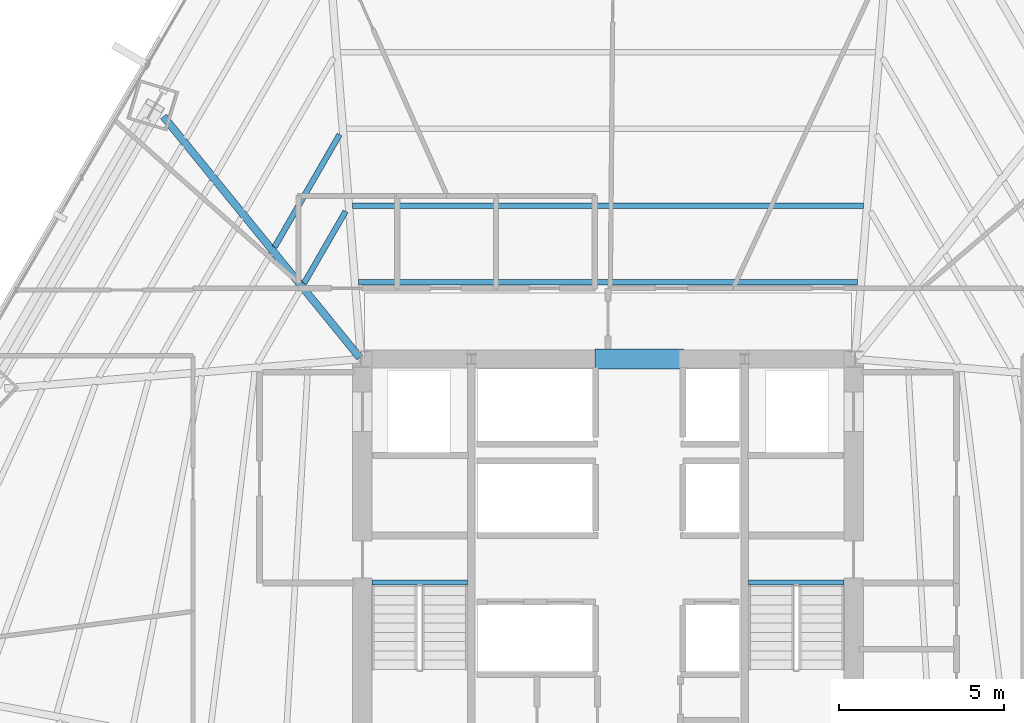
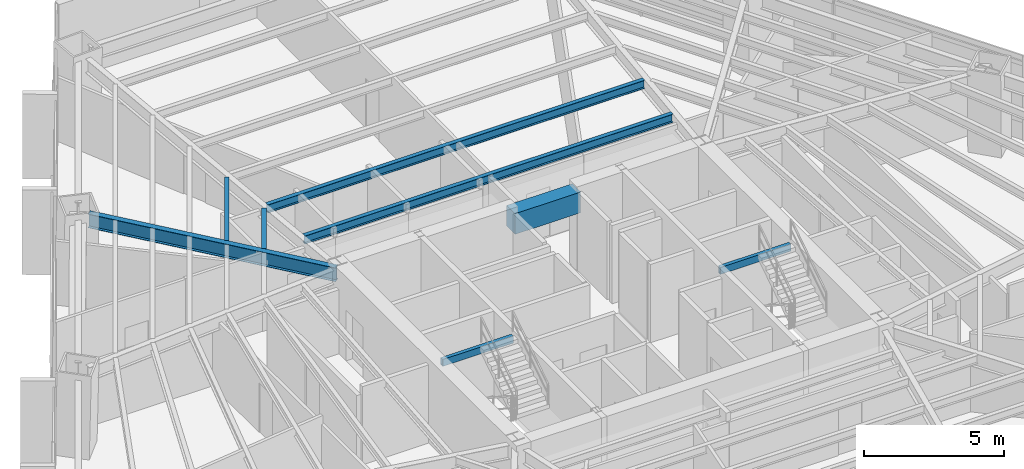
# One storey, part 15 of 37: 8 beams.
"""IFC4 building model written with IfcOpenShell, lengths in metres."""

from ifc_helpers import new_model, si_unit, direction, frame, origin, origin_2d, place, context, subcontext, project, spatial, rectangle, hollow_rectangle, i_section, extrude, source, transform, mapped, material, material_profile, profile_set, type_object, type_shapes, element, save


model = new_model("IFC4")

# Units and contexts
model_context = context("Model", 3, precision=1e-05, world=origin(), true_north=direction((0.0, 1.0)))
body_context = subcontext(model_context, "Body", "Model", "MODEL_VIEW")
ifc_project = project(units=[si_unit("LENGTHUNIT", "METRE"), si_unit("AREAUNIT", "SQUARE_METRE"), si_unit("VOLUMEUNIT", "CUBIC_METRE"), si_unit("PLANEANGLEUNIT", "RADIAN"), si_unit("MASSUNIT", "GRAM", prefix="KILO")], contexts=[model_context])

# Site, building, storey
site_placement = place(None, origin())
site = spatial("IfcSite", under=ifc_project, at=site_placement, CompositionType="ELEMENT")
building_placement = place(site_placement, origin())
building = spatial("IfcBuilding", under=site, at=building_placement, Name="Caelisora Broadcast Tower", CompositionType="ELEMENT")
storey_placement = place(building_placement, frame((0.0, 0.0, 45.85009765625)))
storey = spatial("IfcBuildingStorey", under=building, at=storey_placement, Name="L11", CompositionType="ELEMENT", Elevation=45.85009765625)

# Beams
ifc_material_1 = material(Name="Steel Grade 350 (AS/NZS 1163 C350L0)", Category="steel")
ifc_material_profile_1 = material_profile(ifc_material_1, hollow_rectangle(XDim=0.14990234375, YDim=0.300048828125, WallThickness=0.010009765625, at=origin_2d()), Name="Steel Grade 350 (AS/NZS 1163 C350L0)")
ifc_profile_set_1 = profile_set([ifc_material_profile_1], Name="Steel Grade 350 (AS/NZS 1163 C350L0)")
beam_type_1 = type_object("IfcBeamType", Name="SB05", PredefinedType="JOIST", material=ifc_profile_set_1)
shared_shape_1 = source(origin(), body_context, "Body", "SweptSolid", [
    extrude(hollow_rectangle(XDim=0.14990234375, YDim=0.300048828125, WallThickness=0.010009765625, at=origin_2d()), origin(), (0.0, 0.0, 1.0), 2.89990234375),
])
type_shapes(beam_type_1, [shared_shape_1])
for number, where, z_axis, x_axis, name in (
    (1, (30.840087890625, 23.219970703125, 3.25), (1.0, 0.0, 0.0), (0.0, 1.0, 0.0), "L11 beam SB05"),
    (2, (42.260009765625, 23.219970703125, 3.25), (1.0, 0.0, 0.0), (0.0, 1.0, 0.0), "L11 beam SB05"),
):
    element("IfcBeam", number, at=place(storey_placement, frame(where, z_axis=z_axis, x_axis=x_axis)), inside=storey, type_object=beam_type_1, Name=name, PredefinedType="JOIST", context=body_context, shape_type="MappedRepresentation", body=[
        mapped(shared_shape_1, transform((0.0, 0.0, 0.0), scale=1.0)),
    ])
ifc_material_2 = material(Name="Concrete 50 MPa (AS 3600 S50)", Category="concrete")
ifc_material_profile_2 = material_profile(ifc_material_2, rectangle(XDim=0.60009765625, YDim=0.89990234375, at=origin_2d()), Name="Concrete 50 MPa (AS 3600 S50)")
ifc_profile_set_2 = profile_set([ifc_material_profile_2], Name="Concrete 50 MPa (AS 3600 S50)")
beam_type_2 = type_object("IfcBeamType", Name="CB02", PredefinedType="LINTEL", material=ifc_profile_set_2)
shared_shape_2 = source(origin(), body_context, "Body", "SweptSolid", [
    extrude(rectangle(XDim=0.60009765625, YDim=0.89990234375, at=origin_2d()), origin(), (0.0, 0.0, 1.0), 2.699951171875),
])
type_shapes(beam_type_2, [shared_shape_2])
beam_1_placement = place(storey_placement, frame((37.60009765625, 30.0, 2.949951171875), z_axis=(1.0, 0.0, 0.0), x_axis=(0.0, 1.0, 0.0)))
element("IfcBeam", 3, at=beam_1_placement, inside=storey, type_object=beam_type_2, Name="L11 beam CB02", PredefinedType="LINTEL", context=body_context, shape_type="MappedRepresentation", body=[
    mapped(shared_shape_2, transform((0.0, 0.0, 0.0), scale=1.0)),
])
ifc_material_3 = material(Name="Steel Grade 350 (AS/NZS 3679.1)", Category="steel")
ifc_material_profile_3 = material_profile(ifc_material_3, i_section(OverallWidth=0.22802734375, OverallDepth=0.602294921875, WebThickness=0.010498046875, FlangeThickness=0.014892578125, at=origin_2d()), Name="Steel Grade 350 (AS/NZS 3679.1)")
ifc_profile_set_3 = profile_set([ifc_material_profile_3], Name="Steel Grade 350 (AS/NZS 3679.1)")
beam_type_3 = type_object("IfcBeamType", Name="PG04", PredefinedType="BEAM", material=ifc_profile_set_3)
shared_shape_3 = source(origin(), body_context, "Body", "SweptSolid", [
    extrude(i_section(OverallWidth=0.22802734375, OverallDepth=0.602294921875, WebThickness=0.010498046875, FlangeThickness=0.014892578125, at=origin_2d()), origin(), (0.0, 0.0, 1.0), 9.4404296875),
])
type_shapes(beam_type_3, [shared_shape_3])
beam_2_placement = place(storey_placement, frame((30.462158203125, 30.04638671875, 3.098876953125), z_axis=(-0.631433451991, 0.775430071449, 0.0), x_axis=(-0.775430071449, -0.631433451991, 0.0)))
element("IfcBeam", 4, at=beam_2_placement, inside=storey, type_object=beam_type_3, Name="L11 beam PG04", PredefinedType="BEAM", context=body_context, shape_type="MappedRepresentation", body=[
    mapped(shared_shape_3, transform((0.0, 0.0, 0.0), scale=1.0)),
])
ifc_material_profile_4 = material_profile(ifc_material_3, i_section(OverallWidth=0.172119140625, OverallDepth=0.358642578125, WebThickness=0.008056640625, FlangeThickness=0.012939453125, at=origin_2d()), Name="Steel Grade 350 (AS/NZS 3679.1)")
ifc_profile_set_4 = profile_set([ifc_material_profile_4], Name="Steel Grade 350 (AS/NZS 3679.1)")
beam_type_4 = type_object("IfcBeamType", Name="SB02", PredefinedType="JOIST", material=ifc_profile_set_4)
shared_shape_4 = source(origin(), body_context, "Body", "SweptSolid", [
    extrude(i_section(OverallWidth=0.172119140625, OverallDepth=0.358642578125, WebThickness=0.008056640625, FlangeThickness=0.012939453125, at=origin_2d()), origin(), (0.0, 0.0, 1.0), 15.1455078125),
])
beam_3_placement = place(storey_placement, frame((45.57275390625, 32.330078125, 3.220703125), z_axis=(-1.0, 0.0, 0.0), x_axis=(0.0, -1.0, 0.0)))
element("IfcBeam", 5, at=beam_3_placement, inside=storey, type_object=beam_type_4, Name="L11 beam SB02", PredefinedType="JOIST", context=body_context, shape_type="MappedRepresentation", body=[
    mapped(shared_shape_4, transform((0.0, 0.0, 0.0), scale=1.0)),
])
shared_shape_5 = source(origin(), body_context, "Body", "SweptSolid", [
    extrude(i_section(OverallWidth=0.172119140625, OverallDepth=0.358642578125, WebThickness=0.008056640625, FlangeThickness=0.012939453125, at=origin_2d()), origin(), (0.0, 0.0, 1.0), 15.51318359375),
])
beam_4_placement = place(storey_placement, frame((45.756591796875, 34.66015625, 3.220703125), z_axis=(-1.0, 0.0, 0.0), x_axis=(0.0, -1.0, 0.0)))
element("IfcBeam", 6, at=beam_4_placement, inside=storey, type_object=beam_type_4, Name="L11 beam SB02", PredefinedType="JOIST", context=body_context, shape_type="MappedRepresentation", body=[
    mapped(shared_shape_5, transform((0.0, 0.0, 0.0), scale=1.0)),
])
shared_shape_6 = source(origin(), body_context, "Body", "SweptSolid", [
    extrude(i_section(OverallWidth=0.172119140625, OverallDepth=0.358642578125, WebThickness=0.008056640625, FlangeThickness=0.012939453125, at=origin_2d()), origin(), (0.0, 0.0, 1.0), 2.526123046875),
])
beam_5_placement = place(storey_placement, frame((30.03271484375, 34.488525390625, 3.220703125), z_axis=(-0.499953916003, -0.866052008758, 0.0), x_axis=(0.866052008758, -0.499953916003, 0.0)))
element("IfcBeam", 7, at=beam_5_placement, inside=storey, type_object=beam_type_4, Name="L11 beam SB02", PredefinedType="JOIST", context=body_context, shape_type="MappedRepresentation", body=[
    mapped(shared_shape_6, transform((0.0, 0.0, 0.0), scale=1.0)),
])
shared_shape_7 = source(origin(), body_context, "Body", "SweptSolid", [
    extrude(i_section(OverallWidth=0.172119140625, OverallDepth=0.358642578125, WebThickness=0.008056640625, FlangeThickness=0.012939453125, at=origin_2d()), origin(), (0.0, 0.0, 1.0), 3.947509765625),
])
type_shapes(beam_type_4, [shared_shape_4, shared_shape_5, shared_shape_6, shared_shape_7])
beam_6_placement = place(storey_placement, frame((29.8486328125, 36.818603515625, 3.220703125), z_axis=(-0.499970507103, -0.866042430847, 0.0), x_axis=(0.866042430847, -0.499970507103, 0.0)))
element("IfcBeam", 8, at=beam_6_placement, inside=storey, type_object=beam_type_4, Name="L11 beam SB02", PredefinedType="JOIST", context=body_context, shape_type="MappedRepresentation", body=[
    mapped(shared_shape_7, transform((0.0, 0.0, 0.0), scale=1.0)),
])

save(model, "model.ifc")
